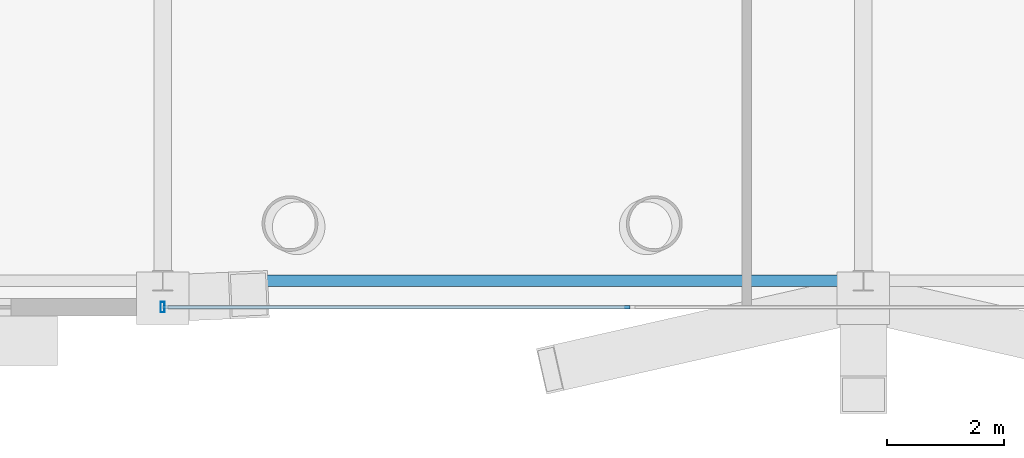
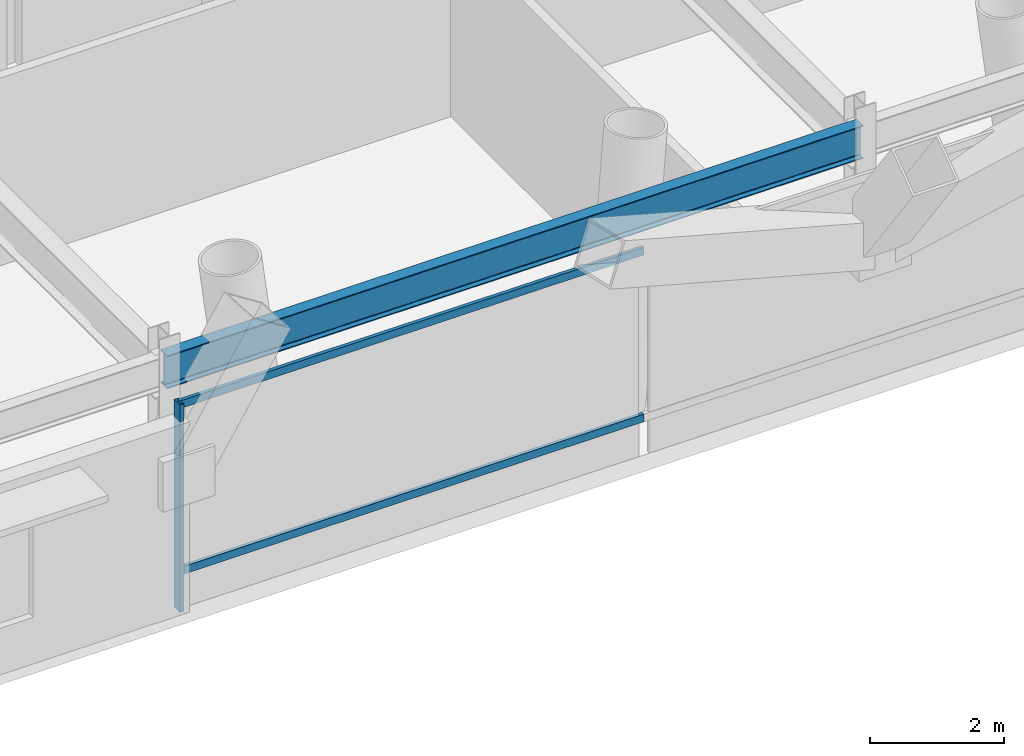
# One storey, part 6 of 21: 3 members, 1 beam, 1 element without a shape of its own.
"""IFC4 building model written with IfcOpenShell, lengths in metres."""

from ifc_helpers import new_model, si_unit, direction, frame, origin, origin_2d, place, context, subcontext, project, spatial, hollow_rectangle, i_section, extrude, material, layer, layer_set, material_profile, profile_set, type_object, element, aggregate, save


model = new_model("IFC4")

# Units and contexts
model_context = context("Model", 3, precision=1e-05, world=origin(), true_north=direction((0.0, 1.0)))
body_context = subcontext(model_context, "Body", "Model", "MODEL_VIEW")
ifc_project = project(units=[si_unit("LENGTHUNIT", "METRE"), si_unit("AREAUNIT", "SQUARE_METRE"), si_unit("VOLUMEUNIT", "CUBIC_METRE"), si_unit("PLANEANGLEUNIT", "RADIAN"), si_unit("MASSUNIT", "GRAM", prefix="KILO")], contexts=[model_context])

# Site, building, storey
site_placement = place(None, origin())
site = spatial("IfcSite", under=ifc_project, at=site_placement, CompositionType="ELEMENT")
building_placement = place(site_placement, origin())
building = spatial("IfcBuilding", under=site, at=building_placement, Name="Veldorina Hangang Commons", CompositionType="ELEMENT")
storey_placement = place(building_placement, frame((0.0, 0.0, 19.60009765625)))
storey = spatial("IfcBuildingStorey", under=building, at=storey_placement, Name="L04", CompositionType="ELEMENT", Elevation=19.60009765625)

# Beam
ifc_material_1 = material(Name="Steel SM420-TMC", Category="steel")
ifc_material_profile_1 = material_profile(ifc_material_1, i_section(OverallWidth=0.199951171875, OverallDepth=0.60009765625, WebThickness=0.010986328125, FlangeThickness=0.01708984375, FilletRadius=0.01806640625, at=origin_2d()), Name="H-600x200x11x17")
ifc_profile_set_1 = profile_set([ifc_material_profile_1], Name="Steel SM420-TMC")
beam_type = type_object("IfcBeamType", Name="BM-SPN600", PredefinedType="SPANDREL", material=ifc_profile_set_1)
beam_placement = place(storey_placement, frame((20.0, 3.449951171875, 4.099853515625), z_axis=(1.0, 0.0, 0.0), x_axis=(0.0, 1.0, 0.0)))
element("IfcBeam", 1, at=beam_placement, inside=storey, type_object=beam_type, Name="L04 south spandrel beam 2", PredefinedType="SPANDREL", context=body_context, shape_type="SweptSolid", body=[
    extrude(i_section(OverallWidth=0.199951171875, OverallDepth=0.60009765625, WebThickness=0.010986328125, FlangeThickness=0.01708984375, FilletRadius=0.01806640625, at=origin_2d()), origin(), (0.0, 0.0, 1.0), 12.0),
])

# Curtain wall, members
ifc_material_2 = material(Name="Glass Low-E Triple IGU", Category="glass")
ifc_layer = layer(ifc_material_2, 0.179931640625)
ifc_layer_set = layer_set([ifc_layer], Name="Glass Low-E Triple IGU")
curtain_wall_type = type_object("IfcCurtainWallType", Name="CW-SYS-POD", PredefinedType="NOTDEFINED", material=ifc_layer_set)
curtain_wall_placement = place(storey_placement, origin())
curtain_wall = element("IfcCurtainWall", 2, at=curtain_wall_placement, inside=storey, type_object=curtain_wall_type, Name="L04 unitised curtain wall CW-L04-S-CTR", PredefinedType="NOTDEFINED")
ifc_material_3 = material(Name="Aluminium Anodized AA6063-T6", Category="aluminium")
ifc_material_profile_2 = material_profile(ifc_material_3, hollow_rectangle(XDim=0.070068359375, YDim=0.179931640625, WallThickness=0.00390625, at=origin_2d()), Name="ALU-RHS-180x70x4")
ifc_profile_set_2 = profile_set([ifc_material_profile_2], Name="Aluminium Anodized AA6063-T6")
member_type_1 = type_object("IfcMemberType", Name="CW-MUL-180", PredefinedType="MULLION", material=ifc_profile_set_2)
member_1_placement = place(storey_placement, frame((20.0, 3.0, 0.0), z_axis=(0.0, 0.0, 1.0), x_axis=(1.0, 0.0, 0.0)))
member_1 = element("IfcMember", 3, at=member_1_placement, type_object=member_type_1, Name="CW-L04-S-CTR vertical mullion 1", PredefinedType="MULLION", context=body_context, shape_type="SweptSolid", body=[
    extrude(hollow_rectangle(XDim=0.070068359375, YDim=0.179931640625, WallThickness=0.00390625, at=origin_2d()), origin(), (0.0, 0.0, 1.0), 3.77978515625),
])
ifc_material_profile_3 = material_profile(ifc_material_3, hollow_rectangle(XDim=0.06005859375, YDim=0.139892578125, WallThickness=0.00341796875, at=origin_2d()), Name="ALU-RHS-140x60x3.5")
ifc_profile_set_3 = profile_set([ifc_material_profile_3], Name="Aluminium Anodized AA6063-T6")
member_type_2 = type_object("IfcMemberType", Name="CW-TRN-140", PredefinedType="USERDEFINED", material=ifc_profile_set_3)
member_2_placement = place(storey_placement, frame((20.0, 3.0, 0.699951171875), z_axis=(1.0, 0.0, 0.0), x_axis=(0.0, 1.0, 0.0)))
member_2 = element("IfcMember", 4, at=member_2_placement, type_object=member_type_2, Name="CW-L04-S-CTR facet 1 transom 1", ObjectType="TRANSOM", PredefinedType="USERDEFINED", context=body_context, shape_type="SweptSolid", body=[
    extrude(hollow_rectangle(XDim=0.06005859375, YDim=0.139892578125, WallThickness=0.00341796875, at=origin_2d()), origin(), (0.0, 0.0, 1.0), 8.0),
])
member_3_placement = place(storey_placement, frame((20.0, 3.0, 3.739990234375), z_axis=(1.0, 0.0, 0.0), x_axis=(0.0, 1.0, 0.0)))
member_3 = element("IfcMember", 5, at=member_3_placement, type_object=member_type_2, Name="CW-L04-S-CTR facet 1 transom 2", ObjectType="TRANSOM", PredefinedType="USERDEFINED", context=body_context, shape_type="SweptSolid", body=[
    extrude(hollow_rectangle(XDim=0.06005859375, YDim=0.139892578125, WallThickness=0.00341796875, at=origin_2d()), origin(), (0.0, 0.0, 1.0), 8.0),
])
aggregate(curtain_wall, [member_1, member_2, member_3])

save(model, "model.ifc")
